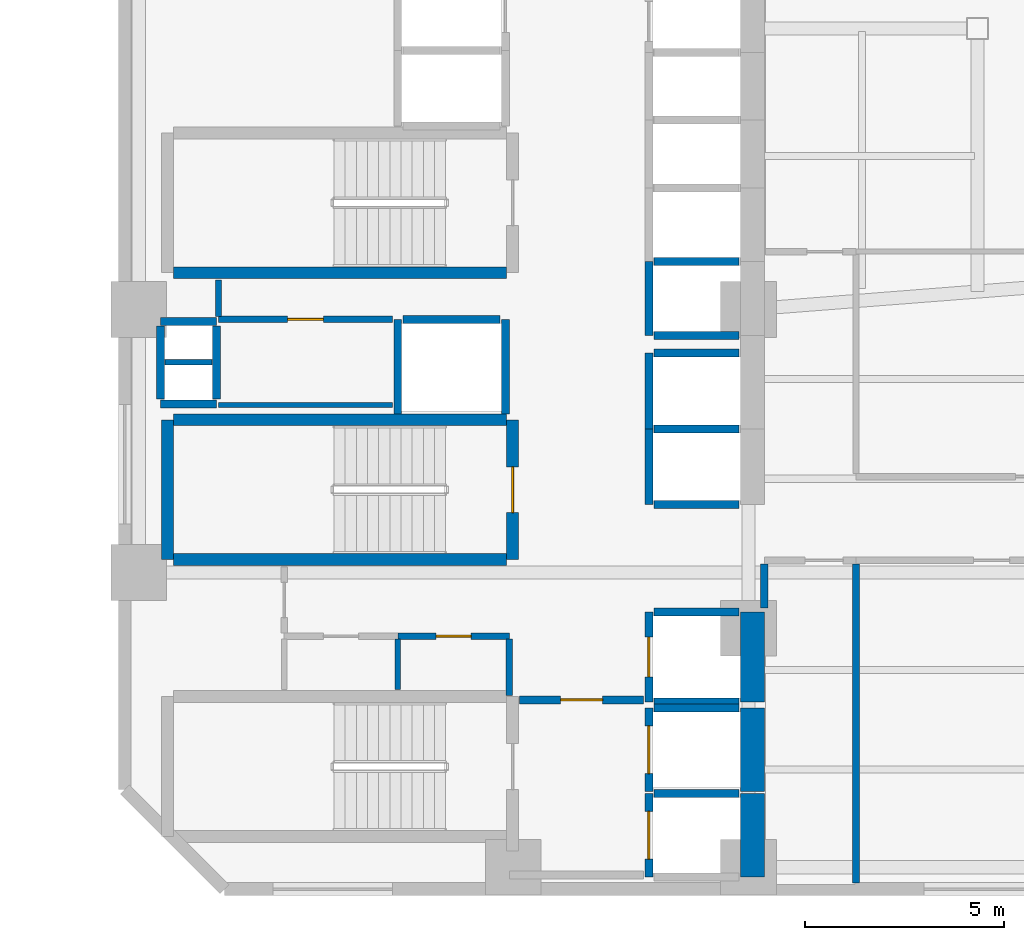
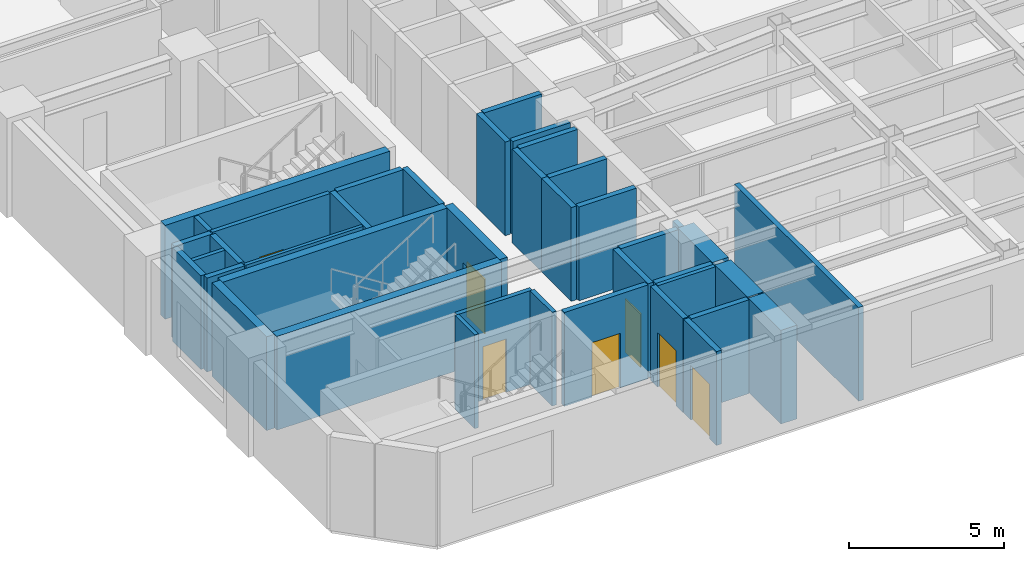
# One storey, part 3 of 10: 40 walls, 7 doors, 7 openings.
"""IFC4 building model written with IfcOpenShell, lengths in metres."""

import ifcopenshell
import ifcopenshell.guid

model = None  # the IFC model being written
_history = None  # IfcOwnerHistory: only IFC2X3 demands one
_inside = {}  # id of a spatial element -> (the spatial element, [elements in it])
_under = {}  # id of a project, library or spatial element -> (it, [spatial elements below it])
_declared = {}  # id of a project -> (the project, [libraries it declares])
_typed = {}  # id of a type object -> (the type object, [elements of that type])
_made_of = {}  # id of a material, layer set ... -> (it, [elements and type objects made of it])


def new_model(schema):
    """Start an empty IFC model of exactly this schema.

    Asked for "IFC4X3", IfcOpenShell would pick the latest addendum, in which some entities
    have other attributes; the version numbers below select the first issue.
    IFC2X3 requires an IfcOwnerHistory on every rooted entity: one is made here for all.
    """
    global model, _history
    if schema == "IFC4X3":
        model = ifcopenshell.file(schema_version=(4, 3, 0, 0))
    else:
        model = ifcopenshell.file(schema=schema)
    _inside.clear()
    _under.clear()
    _declared.clear()
    _typed.clear()
    _made_of.clear()
    _history = None
    if model.schema == "IFC2X3":
        org = make("IfcOrganization", Name="unknown")
        user = make(
            "IfcPersonAndOrganization",
            ThePerson=make("IfcPerson", FamilyName="unknown"),
            TheOrganization=org,
        )
        app = make(
            "IfcApplication",
            ApplicationDeveloper=org,
            Version="unknown",
            ApplicationFullName="unknown",
            ApplicationIdentifier="unknown",
        )
        _history = make(
            "IfcOwnerHistory",
            OwningUser=user,
            OwningApplication=app,
            ChangeAction="ADDED",
            CreationDate=0,
        )
    return model


def make(cls, **values):
    """One entity of the class cls with the attributes given. An attribute that is None is left unset."""
    return model.create_entity(
        cls, **{name: value for name, value in values.items() if value is not None}
    )


def rooted(cls, **values):
    """An entity with a GlobalId (a new one), such as an element, a storey or a relation."""
    return make(cls, GlobalId=ifcopenshell.guid.new(), OwnerHistory=_history, **values)


def si_unit(unit_type, name, prefix=None):
    """IfcSIUnit, for example si_unit("LENGTHUNIT", "METRE", prefix="MILLI")."""
    return make("IfcSIUnit", UnitType=unit_type, Prefix=prefix, Name=name)


def assignment(units):
    """IfcUnitAssignment: the units of a project."""
    return None if units is None else make("IfcUnitAssignment", Units=units)


def point(xyz):
    """IfcCartesianPoint."""
    return None if xyz is None else make("IfcCartesianPoint", Coordinates=xyz)


def direction(xyz):
    """IfcDirection."""
    return None if xyz is None else make("IfcDirection", DirectionRatios=xyz)


def frame(location, z_axis=None, x_axis=None):
    """IfcAxis2Placement3D, a coordinate frame: its origin and axes. An axis left out is left unset."""
    return make(
        "IfcAxis2Placement3D",
        Location=point(location),
        Axis=direction(z_axis),
        RefDirection=direction(x_axis),
    )


def frame_2d(location, x_axis=None):
    """IfcAxis2Placement2D, a coordinate frame in the plane: its origin and x axis."""
    return make(
        "IfcAxis2Placement2D", Location=point(location), RefDirection=direction(x_axis)
    )


def origin():
    """The frame at (0, 0, 0) with its axes left unset."""
    return frame((0.0, 0.0, 0.0))


def place(relative_to, where):
    """IfcLocalPlacement: puts the frame where relative to a parent placement (None: the world)."""
    return make(
        "IfcLocalPlacement", PlacementRelTo=relative_to, RelativePlacement=where
    )


def context(
    kind, dimensions, precision=None, world=None, true_north=None, identifier=None
):
    """IfcGeometricRepresentationContext, for example the 3D "Model" context."""
    return make(
        "IfcGeometricRepresentationContext",
        ContextIdentifier=identifier,
        ContextType=kind,
        CoordinateSpaceDimension=dimensions,
        Precision=precision,
        WorldCoordinateSystem=world,
        TrueNorth=true_north,
    )


def subcontext(parent, identifier, kind, view, scale=None):
    """IfcGeometricRepresentationSubContext, for example "Body" below "Model"."""
    return make(
        "IfcGeometricRepresentationSubContext",
        ContextIdentifier=identifier,
        ContextType=kind,
        ParentContext=parent,
        TargetScale=scale,
        TargetView=view,
    )


def project(units=None, contexts=None):
    """IfcProject with its units and contexts."""
    return rooted(
        "IfcProject",
        Name="project",
        RepresentationContexts=contexts,
        UnitsInContext=assignment(units),
    )


def spatial(cls, under=None, at=None, **own):
    """A site, building, storey or space (cls), placed at a placement, below another one or the project."""
    s = rooted(cls, ObjectPlacement=at, **own)
    if under is not None:
        _under.setdefault(under.id(), (under, []))[1].append(s)
    return s


def profile(cls, at=None, kind="AREA", **sizes):
    """A parametric profile (cls). Its sizes go by their IFC names, for example OverallWidth=200.0."""
    return make(cls, ProfileType=kind, Position=at, **sizes)


def rectangle(**sizes):
    """IfcRectangleProfileDef."""
    return profile("IfcRectangleProfileDef", **sizes)


def extrude(swept, where, along, depth):
    """IfcExtrudedAreaSolid: the profile swept, set in the frame where, extruded along a direction by depth."""
    return make(
        "IfcExtrudedAreaSolid",
        SweptArea=swept,
        Position=where,
        ExtrudedDirection=direction(along),
        Depth=depth,
    )


def shape(context_of_items, identifier, shape_type, items):
    """IfcShapeRepresentation: the items that make up one representation, for example the "Body"."""
    return make(
        "IfcShapeRepresentation",
        ContextOfItems=context_of_items,
        RepresentationIdentifier=identifier,
        RepresentationType=shape_type,
        Items=items,
    )


def material(Name=None, Category=None):
    """IfcMaterial."""
    return make("IfcMaterial", Name=Name, Category=Category)


def layer(
    of_material, thickness, ventilated=None, Name=None, Category=None, Priority=None
):
    """IfcMaterialLayer: one layer of a wall or slab, of a material (None: an air gap)."""
    return make(
        "IfcMaterialLayer",
        Material=of_material,
        LayerThickness=thickness,
        IsVentilated=ventilated,
        Name=Name,
        Category=Category,
        Priority=Priority,
    )


def layer_set(layers, Name=None):
    """IfcMaterialLayerSet."""
    return make("IfcMaterialLayerSet", MaterialLayers=layers, LayerSetName=Name)


def made_of(thing, what):
    """Note that an element or type object is made of a material, layer set ...; save() writes the relation."""
    if what is not None:
        _made_of.setdefault(what.id(), (what, []))[1].append(thing)
    return thing


def type_object(cls, material=None, **own):
    """A type object (cls), such as IfcWallType, which elements share."""
    return made_of(rooted(cls, **own), material)


def element(
    cls,
    number,
    at=None,
    inside=None,
    cuts=None,
    type_object=None,
    material=None,
    context=None,
    identifier="Body",
    shape_type=None,
    held_by="IfcProductDefinitionShape",
    body=None,
    shapes=None,
    **own,
):
    """One element of the class cls, such as IfcWall. Its Tag is "e" and its number.

    at: its placement. inside: the storey or other place that contains it. cuts: it is an
    opening in that element (IfcRelVoidsElement). A single representation is given by context,
    identifier, shape_type and body (its items); several are given by shapes. held_by: the class
    of the entity that holds the representations. save() writes the other relations.
    """
    e = rooted(cls, Tag="e%d" % number, ObjectPlacement=at, **own)
    if body is not None:
        shapes = [shape(context, identifier, shape_type, body)]
    if shapes is not None:
        e.Representation = make(held_by, Representations=shapes)
    if inside is not None:
        _inside.setdefault(inside.id(), (inside, []))[1].append(e)
    if cuts is not None:
        rooted(
            "IfcRelVoidsElement", RelatingBuildingElement=cuts, RelatedOpeningElement=e
        )
    if type_object is not None:
        _typed.setdefault(type_object.id(), (type_object, []))[1].append(e)
    return made_of(e, material)


def fill(opening, filler):
    """IfcRelFillsElement: the door or window that sits in an opening."""
    return rooted(
        "IfcRelFillsElement",
        RelatingOpeningElement=opening,
        RelatedBuildingElement=filler,
    )


def aggregate(whole, parts):
    """IfcRelAggregates: a whole, such as a stair, and the parts it consists of."""
    return rooted("IfcRelAggregates", RelatingObject=whole, RelatedObjects=parts)


def save(model, path):
    """Write the relations noted so far, then the file.

    IfcRelAggregates (storeys below a building ...), IfcRelContainedInSpatialStructure (elements
    in a storey), IfcRelDefinesByType, IfcRelAssociatesMaterial and IfcRelDeclares: one each for
    every whole, place, type object, material and project.
    """
    for whole, parts in _under.values():
        aggregate(whole, parts)
    for where, things in _inside.values():
        rooted(
            "IfcRelContainedInSpatialStructure",
            RelatedElements=things,
            RelatingStructure=where,
        )
    for kind, things in _typed.values():
        rooted("IfcRelDefinesByType", RelatedObjects=things, RelatingType=kind)
    for what, things in _made_of.values():
        rooted("IfcRelAssociatesMaterial", RelatedObjects=things, RelatingMaterial=what)
    for by, libraries in _declared.values():
        rooted("IfcRelDeclares", RelatingContext=by, RelatedDefinitions=libraries)
    model.write(path)


model = new_model("IFC4")

# Units and contexts
model_context = context("Model", 3, precision=1e-05, world=origin(), true_north=direction((0.0, 1.0)))
body_context = subcontext(model_context, "Body", "Model", "MODEL_VIEW")
ifc_project = project(units=[si_unit("LENGTHUNIT", "METRE"), si_unit("AREAUNIT", "SQUARE_METRE"), si_unit("VOLUMEUNIT", "CUBIC_METRE"), si_unit("PLANEANGLEUNIT", "RADIAN"), si_unit("MASSUNIT", "GRAM", prefix="KILO")], contexts=[model_context])

# Site, building, storey
site_placement = place(None, origin())
site = spatial("IfcSite", under=ifc_project, at=site_placement, CompositionType="ELEMENT")
building_placement = place(site_placement, origin())
building = spatial("IfcBuilding", under=site, at=building_placement, Name="Mawjaban Terraces University", CompositionType="ELEMENT")
storey_placement = place(building_placement, frame((0.0, 0.0, 50.5)))
storey = spatial("IfcBuildingStorey", under=building, at=storey_placement, Name="L11", CompositionType="ELEMENT", Elevation=50.5)

# Walls
ifc_material_1 = material(Name="Acoustic masonry blockwork", Category="masonry")
ifc_layer_1 = layer(ifc_material_1, 0.179931640625)
ifc_layer_set_1 = layer_set([ifc_layer_1], Name="Acoustic masonry blockwork")
wall_type_1 = type_object("IfcWallType", Name="AcousticStudioWall_180", PredefinedType="PARTITIONING", material=ifc_layer_set_1)
wall_1_placement = place(storey_placement, frame((38.050048828125, 7.050048828125, 0.0), z_axis=(0.0, 0.0, 1.0), x_axis=(0.0, 1.0, 0.0)))
element("IfcWall", 1, at=wall_1_placement, inside=storey, type_object=wall_type_1, Name="L11 Core Stair and Lift Lobby East Partition 38", PredefinedType="PARTITIONING", context=body_context, shape_type="SweptSolid", body=[
    extrude(rectangle(XDim=1.114990234375, YDim=0.179931640625, at=frame_2d((0.5576171875, 0.0))), origin(), (0.0, 0.0, 1.0), 3.054931640625),
])
wall_2_placement = place(storey_placement, frame((40.35009765625, 0.155029296875, 0.0), z_axis=(0.0, 0.0, 1.0), x_axis=(0.0, 1.0, 0.0)))
element("IfcWall", 2, at=wall_2_placement, inside=storey, type_object=wall_type_1, Name="L11 Media Workshop 1 Partition 40", PredefinedType="PARTITIONING", context=body_context, shape_type="SweptSolid", body=[
    extrude(rectangle(XDim=8.010009765625, YDim=0.179931640625, at=frame_2d((4.0048828125, 0.0))), origin(), (0.0, 0.0, 1.0), 3.68994140625),
])
ifc_material_2 = material(Name="Concrete C70/85", Category="concrete")
ifc_layer_2 = layer(ifc_material_2, 0.60009765625)
ifc_layer_set_2 = layer_set([ifc_layer_2], Name="Concrete C70/85")
wall_type_2 = type_object("IfcWallType", Name="CoreShearWall_600", PredefinedType="SHEAR", material=ifc_layer_set_2)
wall_3_placement = place(storey_placement, frame((37.75, 0.300048828125, 0.0), z_axis=(0.0, 0.0, 1.0), x_axis=(0.0, 1.0, 0.0)))
element("IfcWall", 3, at=wall_3_placement, inside=storey, type_object=wall_type_2, Name="L11 Lift FL-1 Hoistway Wall East", PredefinedType="SHEAR", context=body_context, shape_type="SweptSolid", body=[
    extrude(rectangle(XDim=2.099853515625, YDim=0.60009765625, at=frame_2d((1.0498046875, 0.0))), origin(), (0.0, 0.0, 1.0), 3.68994140625),
])
wall_4_placement = place(storey_placement, frame((37.75, 2.449951171875, 0.0), z_axis=(0.0, 0.0, 1.0), x_axis=(0.0, 1.0, 0.0)))
element("IfcWall", 4, at=wall_4_placement, inside=storey, type_object=wall_type_2, Name="L11 Lift FL-2 Hoistway Wall East", PredefinedType="SHEAR", context=body_context, shape_type="SweptSolid", body=[
    extrude(rectangle(XDim=2.10009765625, YDim=0.60009765625, at=frame_2d((1.050048828125, 0.0))), origin(), (0.0, 0.0, 1.0), 3.68994140625),
])
wall_5_placement = place(storey_placement, frame((37.75, 4.699951171875, 0.0), z_axis=(0.0, 0.0, 1.0), x_axis=(0.0, 1.0, 0.0)))
element("IfcWall", 5, at=wall_5_placement, inside=storey, type_object=wall_type_2, Name="L11 Lift SL-1 Hoistway Wall East", PredefinedType="SHEAR", context=body_context, shape_type="SweptSolid", body=[
    extrude(rectangle(XDim=2.25, YDim=0.60009765625, at=frame_2d((1.125, 0.0))), origin(), (0.0, 0.0, 1.0), 3.68994140625),
])

# Wall, opening, door
ifc_material_3 = material(Name="Fire-rated gypsum board on steel stud", Category="steel")
ifc_layer_3 = layer(ifc_material_3, 0.159912109375)
ifc_layer_set_3 = layer_set([ifc_layer_3], Name="Fire-rated gypsum board on steel stud")
wall_type_3 = type_object("IfcWallType", Name="CorridorPartition_160", PredefinedType="PARTITIONING", material=ifc_layer_set_3)
wall_6_placement = place(storey_placement, frame((24.35009765625, 14.300048828125, 0.0), z_axis=(0.0, 0.0, 1.0), x_axis=(1.0, 0.0, 0.0)))
wall_6 = element("IfcWall", 6, at=wall_6_placement, inside=storey, type_object=wall_type_3, Name="L11 Core Riser Access Passage Partition 2", PredefinedType="PARTITIONING", context=body_context, shape_type="SweptSolid", body=[
    extrude(rectangle(XDim=4.369873046875, YDim=0.159912109375, at=frame_2d((2.18505859375, 0.0))), origin(), (0.0, 0.0, 1.0), 3.68994140625),
])
opening_1_placement = place(wall_6_placement, frame((1.735107421875, 0.0, 0.0)))
opening_1 = element("IfcOpeningElement", 7, at=opening_1_placement, cuts=wall_6, Name="Opening ID-090", PredefinedType="OPENING", context=body_context, shape_type="SweptSolid", body=[
    extrude(rectangle(XDim=0.89990234375, YDim=2.10009765625, at=frame_2d((0.449951171875, 1.050048828125))), frame((0.0, 0.08984375, 0.0), z_axis=(0.0, -1.0, 0.0), x_axis=(1.0, 0.0, 0.0)), (0.0, 0.0, 1.0), 0.179931640625),
])
ifc_material_4 = material(Name="Powder-coated steel frame and solid acoustic timber leaf", Category="steel")
door_type_1 = type_object("IfcDoorType", Name="OfficeDoor_900x2100", OperationType="NOTDEFINED", PredefinedType="DOOR", material=ifc_material_4)
door_1_placement = place(opening_1_placement, origin())
door_1 = element("IfcDoor", 8, at=door_1_placement, inside=storey, type_object=door_type_1, Name="L11 Cleaner Store Door", OperationType="SINGLE_SWING_LEFT", OverallHeight=2.10009765625, OverallWidth=0.89990234375, PredefinedType="DOOR", context=body_context, shape_type="SweptSolid", body=[
    extrude(rectangle(XDim=0.89990234375, YDim=2.10009765625, at=frame_2d((0.449951171875, 1.050048828125))), frame((0.0, 0.02490234375, 0.0), z_axis=(0.0, -1.0, 0.0), x_axis=(1.0, 0.0, 0.0)), (0.0, 0.0, 1.0), 0.050048828125),
])
fill(opening_1, door_1)

wall_7_placement = place(storey_placement, frame((28.85009765625, 6.35009765625, 0.0), z_axis=(0.0, 0.0, 1.0), x_axis=(1.0, 0.0, 0.0)))
wall_7 = element("IfcWall", 9, at=wall_7_placement, inside=storey, type_object=wall_type_3, Name="L11 Core Washroom Lobby Partition 6", PredefinedType="PARTITIONING", context=body_context, shape_type="SweptSolid", body=[
    extrude(rectangle(XDim=2.7998046875, YDim=0.159912109375, at=frame_2d((1.39990234375, 0.0))), origin(), (0.0, 0.0, 1.0), 3.68994140625),
])
opening_2_placement = place(wall_7_placement, frame((0.9599609375, 0.0, 0.0)))
opening_2 = element("IfcOpeningElement", 10, at=opening_2_placement, cuts=wall_7, Name="Opening ID-088", PredefinedType="OPENING", context=body_context, shape_type="SweptSolid", body=[
    extrude(rectangle(XDim=0.8798828125, YDim=2.10009765625, at=frame_2d((0.43994140625, 1.050048828125))), frame((0.0, 0.08984375, 0.0), z_axis=(0.0, -1.0, 0.0), x_axis=(1.0, 0.0, 0.0)), (0.0, 0.0, 1.0), 0.179931640625),
])
door_type_2 = type_object("IfcDoorType", Name="ToiletDoor_880x2100", OperationType="NOTDEFINED", PredefinedType="DOOR", material=ifc_material_4)
door_2_placement = place(opening_2_placement, origin())
door_2 = element("IfcDoor", 11, at=door_2_placement, inside=storey, type_object=door_type_2, Name="L11 Accessible Toilet Door", OperationType="SINGLE_SWING_RIGHT", OverallHeight=2.10009765625, OverallWidth=0.8798828125, PredefinedType="DOOR", context=body_context, shape_type="SweptSolid", body=[
    extrude(rectangle(XDim=0.8798828125, YDim=2.10009765625, at=frame_2d((0.43994140625, 1.050048828125))), frame((0.0, 0.02490234375, 0.0), z_axis=(0.0, -1.0, 0.0), x_axis=(1.0, 0.0, 0.0)), (0.0, 0.0, 1.0), 0.050048828125),
])
fill(opening_2, door_2)

# Walls
wall_8_placement = place(storey_placement, frame((24.35009765625, 15.2900390625, 0.0), z_axis=(0.0, 0.0, 1.0), x_axis=(0.0, -1.0, 0.0)))
element("IfcWall", 12, at=wall_8_placement, inside=storey, type_object=wall_type_3, Name="L11 Core Riser Access Passage Partition 26", PredefinedType="PARTITIONING", context=body_context, shape_type="SweptSolid", body=[
    extrude(rectangle(XDim=0.9150390625, YDim=0.159912109375, at=frame_2d((0.45751953125, 0.0))), origin(), (0.0, 0.0, 1.0), 3.68994140625),
])
wall_9_placement = place(storey_placement, frame((31.64990234375, 4.860107421875, 0.0), z_axis=(0.0, 0.0, 1.0), x_axis=(0.0, 1.0, 0.0)))
element("IfcWall", 13, at=wall_9_placement, inside=storey, type_object=wall_type_3, Name="L11 Accessible Toilet Partition 35", PredefinedType="PARTITIONING", context=body_context, shape_type="SweptSolid", body=[
    extrude(rectangle(XDim=1.414794921875, YDim=0.159912109375, at=frame_2d((0.70751953125, 0.0))), origin(), (0.0, 0.0, 1.0), 3.68994140625),
])

# Wall, opening, door
ifc_material_5 = material(Name="Concrete C40/50", Category="concrete")
ifc_layer_4 = layer(ifc_material_5, 0.199951171875)
ifc_layer_set_4 = layer_set([ifc_layer_4], Name="Concrete C40/50")
wall_type_4 = type_object("IfcWallType", Name="FireLobbyWall_200", PredefinedType="SOLIDWALL", material=ifc_layer_set_4)
wall_10_placement = place(storey_placement, frame((35.14990234375, 2.39990234375, 0.0), z_axis=(0.0, 0.0, 1.0), x_axis=(0.0, -1.0, 0.0)))
wall_10 = element("IfcWall", 14, at=wall_10_placement, inside=storey, type_object=wall_type_4, Name="L11 Lift FL-1 Hoistway Wall West", PredefinedType="SOLIDWALL", context=body_context, shape_type="SweptSolid", body=[
    extrude(rectangle(XDim=2.099853515625, YDim=0.199951171875, at=frame_2d((1.0498046875, 0.0))), origin(), (0.0, 0.0, 1.0), 3.68994140625),
])
opening_3_placement = place(wall_10_placement, frame((0.449951171875, 0.0, 0.0)))
opening_3 = element("IfcOpeningElement", 15, at=opening_3_placement, cuts=wall_10, Name="Opening LD-FL-1", PredefinedType="OPENING", context=body_context, shape_type="SweptSolid", body=[
    extrude(rectangle(XDim=1.199951171875, YDim=2.14990234375, at=frame_2d((0.60009765625, 1.074951171875))), frame((0.0, 0.10986328125, 0.0), z_axis=(0.0, -1.0, 0.0), x_axis=(1.0, 0.0, 0.0)), (0.0, 0.0, 1.0), 0.219970703125),
])
ifc_material_6 = material(Name="Powder-coated steel frame and fire-rated steel-faced leaf", Category="steel")
door_type_3 = type_object("IfcDoorType", Name="LiftLandingFSAE_1200x2150", OperationType="NOTDEFINED", PredefinedType="DOOR", material=ifc_material_6)
door_3_placement = place(opening_3_placement, origin())
door_3 = element("IfcDoor", 16, at=door_3_placement, inside=storey, type_object=door_type_3, Name="L11 Lift FL-1 Sliding Landing Door", OperationType="DOUBLE_DOOR_SLIDING", OverallHeight=2.14990234375, OverallWidth=1.199951171875, PredefinedType="DOOR", context=body_context, shape_type="SweptSolid", body=[
    extrude(rectangle(XDim=1.199951171875, YDim=2.14990234375, at=frame_2d((0.60009765625, 1.074951171875))), frame((0.0, 0.02490234375, 0.0), z_axis=(0.0, -1.0, 0.0), x_axis=(1.0, 0.0, 0.0)), (0.0, 0.0, 1.0), 0.050048828125),
])
fill(opening_3, door_3)

# Wall
wall_11_placement = place(storey_placement, frame((37.419921875, 2.39990234375, 0.0), z_axis=(0.0, 0.0, 1.0), x_axis=(-1.0, 0.0, 0.0)))
element("IfcWall", 17, at=wall_11_placement, inside=storey, type_object=wall_type_4, Name="L11 Lift FL-1 Hoistway Wall North", PredefinedType="SOLIDWALL", context=body_context, shape_type="SweptSolid", body=[
    extrude(rectangle(XDim=2.139892578125, YDim=0.199951171875, at=frame_2d((1.06982421875, 0.0))), origin(), (0.0, 0.0, 1.0), 3.68994140625),
])

# Wall, opening, door
wall_12_placement = place(storey_placement, frame((35.14990234375, 4.550048828125, 0.0), z_axis=(0.0, 0.0, 1.0), x_axis=(0.0, -1.0, 0.0)))
wall_12 = element("IfcWall", 18, at=wall_12_placement, inside=storey, type_object=wall_type_4, Name="L11 Lift FL-2 Hoistway Wall West", PredefinedType="SOLIDWALL", context=body_context, shape_type="SweptSolid", body=[
    extrude(rectangle(XDim=2.10009765625, YDim=0.199951171875, at=frame_2d((1.050048828125, 0.0))), origin(), (0.0, 0.0, 1.0), 3.68994140625),
])
opening_4_placement = place(wall_12_placement, frame((0.449951171875, 0.0, 0.0)))
opening_4 = element("IfcOpeningElement", 19, at=opening_4_placement, cuts=wall_12, Name="Opening LD-FL-2", PredefinedType="OPENING", context=body_context, shape_type="SweptSolid", body=[
    extrude(rectangle(XDim=1.199951171875, YDim=2.14990234375, at=frame_2d((0.60009765625, 1.074951171875))), frame((0.0, 0.10986328125, 0.0), z_axis=(0.0, -1.0, 0.0), x_axis=(1.0, 0.0, 0.0)), (0.0, 0.0, 1.0), 0.219970703125),
])
door_4_placement = place(opening_4_placement, origin())
door_4 = element("IfcDoor", 20, at=door_4_placement, inside=storey, type_object=door_type_3, Name="L11 Lift FL-2 Sliding Landing Door", OperationType="DOUBLE_DOOR_SLIDING", OverallHeight=2.14990234375, OverallWidth=1.199951171875, PredefinedType="DOOR", context=body_context, shape_type="SweptSolid", body=[
    extrude(rectangle(XDim=1.199951171875, YDim=2.14990234375, at=frame_2d((0.60009765625, 1.074951171875))), frame((0.0, 0.02490234375, 0.0), z_axis=(0.0, -1.0, 0.0), x_axis=(1.0, 0.0, 0.0)), (0.0, 0.0, 1.0), 0.050048828125),
])
fill(opening_4, door_4)

# Wall
wall_13_placement = place(storey_placement, frame((37.419921875, 4.550048828125, 0.0), z_axis=(0.0, 0.0, 1.0), x_axis=(-1.0, 0.0, 0.0)))
element("IfcWall", 21, at=wall_13_placement, inside=storey, type_object=wall_type_4, Name="L11 Lift FL-2 Hoistway Wall North", PredefinedType="SOLIDWALL", context=body_context, shape_type="SweptSolid", body=[
    extrude(rectangle(XDim=2.139892578125, YDim=0.199951171875, at=frame_2d((1.06982421875, 0.0))), origin(), (0.0, 0.0, 1.0), 3.68994140625),
])

# Wall, opening, door
wall_14_placement = place(storey_placement, frame((35.14990234375, 6.949951171875, 0.0), z_axis=(0.0, 0.0, 1.0), x_axis=(0.0, -1.0, 0.0)))
wall_14 = element("IfcWall", 22, at=wall_14_placement, inside=storey, type_object=wall_type_4, Name="L11 Lift SL-1 Hoistway Wall West", PredefinedType="SOLIDWALL", context=body_context, shape_type="SweptSolid", body=[
    extrude(rectangle(XDim=2.25, YDim=0.199951171875, at=frame_2d((1.125, 0.0))), origin(), (0.0, 0.0, 1.0), 3.68994140625),
])
opening_5_placement = place(wall_14_placement, frame((0.625, 0.0, 0.0)))
opening_5 = element("IfcOpeningElement", 23, at=opening_5_placement, cuts=wall_14, Name="Opening LD-SL-1", PredefinedType="OPENING", context=body_context, shape_type="SweptSolid", body=[
    extrude(rectangle(XDim=1.0, YDim=2.10009765625, at=frame_2d((0.5, 1.050048828125))), frame((0.0, 0.10986328125, 0.0), z_axis=(0.0, -1.0, 0.0), x_axis=(1.0, 0.0, 0.0)), (0.0, 0.0, 1.0), 0.219970703125),
])
door_type_4 = type_object("IfcDoorType", Name="LiftLandingSliding_1000x2100", OperationType="NOTDEFINED", PredefinedType="DOOR", material=ifc_material_6)
door_5_placement = place(opening_5_placement, origin())
door_5 = element("IfcDoor", 24, at=door_5_placement, inside=storey, type_object=door_type_4, Name="L11 Lift SL-1 Sliding Landing Door", OperationType="DOUBLE_DOOR_SLIDING", OverallHeight=2.10009765625, OverallWidth=1.0, PredefinedType="DOOR", context=body_context, shape_type="SweptSolid", body=[
    extrude(rectangle(XDim=1.0, YDim=2.10009765625, at=frame_2d((0.5, 1.050048828125))), frame((0.0, 0.02490234375, 0.0), z_axis=(0.0, -1.0, 0.0), x_axis=(1.0, 0.0, 0.0)), (0.0, 0.0, 1.0), 0.050048828125),
])
fill(opening_5, door_5)

# Walls
for number, where, z_axis, x_axis, name in (
    (25, (35.280029296875, 4.699951171875, 0.0), (0.0, 0.0, 1.0), (1.0, 0.0, 0.0), "L11 Lift SL-1 Hoistway Wall South"),
    (26, (37.419921875, 6.949951171875, 0.0), (0.0, 0.0, 1.0), (-1.0, 0.0, 0.0), "L11 Lift SL-1 Hoistway Wall North"),
):
    element("IfcWall", number, at=place(storey_placement, frame(where, z_axis=z_axis, x_axis=x_axis)), inside=storey, type_object=wall_type_4, Name=name, PredefinedType="SOLIDWALL", context=body_context, shape_type="SweptSolid", body=[
        extrude(rectangle(XDim=2.139892578125, YDim=0.199951171875, at=frame_2d((1.06982421875, 0.0))), origin(), (0.0, 0.0, 1.0), 3.68994140625),
    ])
wall_15_placement = place(storey_placement, frame((35.14990234375, 11.550048828125, 0.0), z_axis=(0.0, 0.0, 1.0), x_axis=(0.0, -1.0, 0.0)))
element("IfcWall", 27, at=wall_15_placement, inside=storey, type_object=wall_type_4, Name="L11 Lift PL-H1 Hoistway Wall West", PredefinedType="SOLIDWALL", context=body_context, shape_type="SweptSolid", body=[
    extrude(rectangle(XDim=1.900146484375, YDim=0.199951171875, at=frame_2d((0.9501953125, 0.0))), origin(), (0.0, 0.0, 1.0), 3.68994140625),
])
for number, where, z_axis, x_axis, name in (
    (28, (35.280029296875, 9.64990234375, 0.0), (0.0, 0.0, 1.0), (1.0, 0.0, 0.0), "L11 Lift PL-H1 Hoistway Wall South"),
    (29, (37.419921875, 11.550048828125, 0.0), (0.0, 0.0, 1.0), (-1.0, 0.0, 0.0), "L11 Lift PL-H1 Hoistway Wall North"),
):
    element("IfcWall", number, at=place(storey_placement, frame(where, z_axis=z_axis, x_axis=x_axis)), inside=storey, type_object=wall_type_4, Name=name, PredefinedType="SOLIDWALL", context=body_context, shape_type="SweptSolid", body=[
        extrude(rectangle(XDim=2.139892578125, YDim=0.199951171875, at=frame_2d((1.06982421875, 0.0))), origin(), (0.0, 0.0, 1.0), 3.68994140625),
    ])
wall_16_placement = place(storey_placement, frame((35.14990234375, 13.449951171875, 0.0), z_axis=(0.0, 0.0, 1.0), x_axis=(0.0, -1.0, 0.0)))
element("IfcWall", 30, at=wall_16_placement, inside=storey, type_object=wall_type_4, Name="L11 Lift PL-H2 Hoistway Wall West", PredefinedType="SOLIDWALL", context=body_context, shape_type="SweptSolid", body=[
    extrude(rectangle(XDim=1.89990234375, YDim=0.199951171875, at=frame_2d((0.949951171875, 0.0))), origin(), (0.0, 0.0, 1.0), 3.68994140625),
])
wall_17_placement = place(storey_placement, frame((37.419921875, 13.449951171875, 0.0), z_axis=(0.0, 0.0, 1.0), x_axis=(-1.0, 0.0, 0.0)))
element("IfcWall", 31, at=wall_17_placement, inside=storey, type_object=wall_type_4, Name="L11 Lift PL-H2 Hoistway Wall North", PredefinedType="SOLIDWALL", context=body_context, shape_type="SweptSolid", body=[
    extrude(rectangle(XDim=2.139892578125, YDim=0.199951171875, at=frame_2d((1.06982421875, 0.0))), origin(), (0.0, 0.0, 1.0), 3.68994140625),
])
for number, where, z_axis, x_axis, name in (
    (32, (28.85009765625, 14.300048828125, 0.0), (0.0, 0.0, 1.0), (0.0, -1.0, 0.0), "L11 Lift PL-H3 Hoistway Wall West"),
    (33, (31.550048828125, 11.929931640625, 0.0), (0.0, 0.0, 1.0), (0.0, 1.0, 0.0), "L11 Lift PL-H3 Hoistway Wall East"),
):
    element("IfcWall", number, at=place(storey_placement, frame(where, z_axis=z_axis, x_axis=x_axis)), inside=storey, type_object=wall_type_4, Name=name, PredefinedType="SOLIDWALL", context=body_context, shape_type="SweptSolid", body=[
        extrude(rectangle(XDim=2.3701171875, YDim=0.199951171875, at=frame_2d((1.18505859375, 0.0))), origin(), (0.0, 0.0, 1.0), 3.68994140625),
    ])
wall_18_placement = place(storey_placement, frame((31.419921875, 14.300048828125, 0.0), z_axis=(0.0, 0.0, 1.0), x_axis=(-1.0, 0.0, 0.0)))
element("IfcWall", 34, at=wall_18_placement, inside=storey, type_object=wall_type_4, Name="L11 Lift PL-H3 Hoistway Wall North", PredefinedType="SOLIDWALL", context=body_context, shape_type="SweptSolid", body=[
    extrude(rectangle(XDim=2.43994140625, YDim=0.199951171875, at=frame_2d((1.219970703125, 0.0))), origin(), (0.0, 0.0, 1.0), 3.68994140625),
])
wall_19_placement = place(storey_placement, frame((35.14990234375, 15.75, 0.0), z_axis=(0.0, 0.0, 1.0), x_axis=(0.0, -1.0, 0.0)))
element("IfcWall", 35, at=wall_19_placement, inside=storey, type_object=wall_type_4, Name="L11 Lift OL-1 Hoistway Wall West", PredefinedType="SOLIDWALL", context=body_context, shape_type="SweptSolid", body=[
    extrude(rectangle(XDim=1.85009765625, YDim=0.199951171875, at=frame_2d((0.925048828125, 0.0))), origin(), (0.0, 0.0, 1.0), 3.68994140625),
])
for number, where, z_axis, x_axis, name in (
    (36, (35.280029296875, 13.89990234375, 0.0), (0.0, 0.0, 1.0), (1.0, 0.0, 0.0), "L11 Lift OL-1 Hoistway Wall South"),
    (37, (37.419921875, 15.75, 0.0), (0.0, 0.0, 1.0), (-1.0, 0.0, 0.0), "L11 Lift OL-1 Hoistway Wall North"),
):
    element("IfcWall", number, at=place(storey_placement, frame(where, z_axis=z_axis, x_axis=x_axis)), inside=storey, type_object=wall_type_4, Name=name, PredefinedType="SOLIDWALL", context=body_context, shape_type="SweptSolid", body=[
        extrude(rectangle(XDim=2.139892578125, YDim=0.199951171875, at=frame_2d((1.06982421875, 0.0))), origin(), (0.0, 0.0, 1.0), 3.68994140625),
    ])
for number, where, z_axis, x_axis, name in (
    (38, (22.89990234375, 14.25, 0.0), (0.0, 0.0, 1.0), (1.0, 0.0, 0.0), "L11 MEP Riser Shaft Wall N"),
    (39, (22.89990234375, 12.179931640625, 0.0), (0.0, 0.0, 1.0), (1.0, 0.0, 0.0), "L11 MEP Riser Shaft Wall S"),
):
    element("IfcWall", number, at=place(storey_placement, frame(where, z_axis=z_axis, x_axis=x_axis)), inside=storey, type_object=wall_type_4, Name=name, PredefinedType="SOLIDWALL", context=body_context, shape_type="SweptSolid", body=[
        extrude(rectangle(XDim=1.400146484375, YDim=0.199951171875, at=frame_2d((0.7001953125, 0.0))), origin(), (0.0, 0.0, 1.0), 3.68994140625),
    ])
for number, where, z_axis, x_axis, name in (
    (40, (24.300048828125, 12.300048828125, 0.0), (0.0, 0.0, 1.0), (0.0, 1.0, 0.0), "L11 MEP Riser Shaft Wall E"),
    (41, (22.89990234375, 12.300048828125, 0.0), (0.0, 0.0, 1.0), (0.0, 1.0, 0.0), "L11 MEP Riser Shaft Wall W"),
):
    element("IfcWall", number, at=place(storey_placement, frame(where, z_axis=z_axis, x_axis=x_axis)), inside=storey, type_object=wall_type_4, Name=name, PredefinedType="SOLIDWALL", context=body_context, shape_type="SweptSolid", body=[
        extrude(rectangle(XDim=1.829833984375, YDim=0.199951171875, at=frame_2d((0.9150390625, 0.0))), origin(), (0.0, 0.0, 1.0), 3.68994140625),
    ])

# Wall, opening, door
wall_20_placement = place(storey_placement, frame((35.02001953125, 4.75, 0.0), z_axis=(0.0, 0.0, 1.0), x_axis=(-1.0, 0.0, 0.0)))
wall_20 = element("IfcWall", 42, at=wall_20_placement, inside=storey, type_object=wall_type_4, Name="L11 Firefighting Lift Lobby Partition 10", PredefinedType="SOLIDWALL", context=body_context, shape_type="SweptSolid", body=[
    extrude(rectangle(XDim=3.110107421875, YDim=0.199951171875, at=frame_2d((1.55517578125, 0.0))), origin(), (0.0, 0.0, 1.0), 3.68994140625),
])
opening_6_placement = place(wall_20_placement, frame((1.030029296875, 0.0, 0.0)))
opening_6 = element("IfcOpeningElement", 43, at=opening_6_placement, cuts=wall_20, Name="Opening FD-105", PredefinedType="OPENING", context=body_context, shape_type="SweptSolid", body=[
    extrude(rectangle(XDim=1.050048828125, YDim=2.14990234375, at=frame_2d((0.52490234375, 1.074951171875))), frame((0.0, 0.10986328125, 0.0), z_axis=(0.0, -1.0, 0.0), x_axis=(1.0, 0.0, 0.0)), (0.0, 0.0, 1.0), 0.219970703125),
])
door_type_5 = type_object("IfcDoorType", Name="FireLobbyDoor_1050x2150", OperationType="NOTDEFINED", PredefinedType="DOOR", material=ifc_material_6)
door_6_placement = place(opening_6_placement, origin())
door_6 = element("IfcDoor", 44, at=door_6_placement, inside=storey, type_object=door_type_5, Name="L11 Firefighting Lift Lobby Door", OperationType="SINGLE_SWING_LEFT", OverallHeight=2.14990234375, OverallWidth=1.050048828125, PredefinedType="DOOR", context=body_context, shape_type="SweptSolid", body=[
    extrude(rectangle(XDim=1.050048828125, YDim=2.14990234375, at=frame_2d((0.52490234375, 1.074951171875))), frame((0.0, 0.02490234375, 0.0), z_axis=(0.0, -1.0, 0.0), x_axis=(1.0, 0.0, 0.0)), (0.0, 0.0, 1.0), 0.050048828125),
])
fill(opening_6, door_6)

# Walls
ifc_material_7 = material(Name="Moisture-resistant gypsum board on steel stud", Category="steel")
ifc_layer_5 = layer(ifc_material_7, 0.14501953125)
ifc_layer_set_5 = layer_set([ifc_layer_5], Name="Moisture-resistant gypsum board on steel stud")
wall_type_5 = type_object("IfcWallType", Name="LabPartition_145", PredefinedType="PARTITIONING", material=ifc_layer_set_5)
wall_21_placement = place(storey_placement, frame((23.010009765625, 13.22509765625, 0.0), z_axis=(0.0, 0.0, 1.0), x_axis=(1.0, 0.0, 0.0)))
element("IfcWall", 45, at=wall_21_placement, inside=storey, type_object=wall_type_5, Name="L11 MEP Riser Shaft Wall M", PredefinedType="PARTITIONING", context=body_context, shape_type="SweptSolid", body=[
    extrude(rectangle(XDim=1.179931640625, YDim=0.14501953125, at=frame_2d((0.58984375, 0.0))), origin(), (0.0, 0.0, 1.0), 3.68994140625),
])
ifc_material_8 = material(Name="Gypsum plasterboard on steel stud", Category="steel")
ifc_layer_6 = layer(ifc_material_8, 0.125)
ifc_layer_set_6 = layer_set([ifc_layer_6], Name="Gypsum plasterboard on steel stud")
wall_type_6 = type_object("IfcWallType", Name="OfficePartition_125", PredefinedType="PARTITIONING", material=ifc_layer_set_6)
wall_22_placement = place(storey_placement, frame((24.35009765625, 12.14990234375, 0.0), z_axis=(0.0, 0.0, 1.0), x_axis=(1.0, 0.0, 0.0)))
element("IfcWall", 46, at=wall_22_placement, inside=storey, type_object=wall_type_6, Name="L11 Cleaner Store Partition 1", PredefinedType="PARTITIONING", context=body_context, shape_type="SweptSolid", body=[
    extrude(rectangle(XDim=4.369873046875, YDim=0.125, at=frame_2d((2.18505859375, 0.0))), origin(), (0.0, 0.0, 1.0), 3.68994140625),
])
ifc_material_9 = material(Name="Concrete C60/75", Category="concrete")
ifc_layer_7 = layer(ifc_material_9, 0.300048828125)
ifc_layer_set_7 = layer_set([ifc_layer_7], Name="Concrete C60/75")
wall_type_7 = type_object("IfcWallType", Name="StairShaftWall_300", PredefinedType="SHEAR", material=ifc_layer_set_7)
for number, where, z_axis, x_axis, name in (
    (47, (23.219970703125, 15.469970703125, 0.0), (0.0, 0.0, 1.0), (1.0, 0.0, 0.0), "L11 ST-2 Stair Shaft Wall 3"),
    (48, (31.580078125, 11.780029296875, 0.0), (0.0, 0.0, 1.0), (-1.0, 0.0, 0.0), "L11 ST-3 Stair Shaft Wall 1"),
):
    element("IfcWall", number, at=place(storey_placement, frame(where, z_axis=z_axis, x_axis=x_axis)), inside=storey, type_object=wall_type_7, Name=name, PredefinedType="SHEAR", context=body_context, shape_type="SweptSolid", body=[
        extrude(rectangle(XDim=8.360107421875, YDim=0.300048828125, at=frame_2d((4.18017578125, 0.0))), origin(), (0.0, 0.0, 1.0), 3.68994140625),
    ])
wall_23_placement = place(storey_placement, frame((23.070068359375, 11.780029296875, 0.0), z_axis=(0.0, 0.0, 1.0), x_axis=(0.0, -1.0, 0.0)))
element("IfcWall", 49, at=wall_23_placement, inside=storey, type_object=wall_type_7, Name="L11 ST-3 Stair Shaft Wall 2", PredefinedType="SHEAR", context=body_context, shape_type="SweptSolid", body=[
    extrude(rectangle(XDim=3.510009765625, YDim=0.300048828125, at=frame_2d((1.7548828125, 0.0))), origin(), (0.0, 0.0, 1.0), 3.68994140625),
])
wall_24_placement = place(storey_placement, frame((23.219970703125, 8.27001953125, 0.0), z_axis=(0.0, 0.0, 1.0), x_axis=(1.0, 0.0, 0.0)))
element("IfcWall", 50, at=wall_24_placement, inside=storey, type_object=wall_type_7, Name="L11 ST-3 Stair Shaft Wall 3", PredefinedType="SHEAR", context=body_context, shape_type="SweptSolid", body=[
    extrude(rectangle(XDim=8.360107421875, YDim=0.300048828125, at=frame_2d((4.18017578125, 0.0))), origin(), (0.0, 0.0, 1.0), 3.68994140625),
])

# Wall, opening, door
wall_25_placement = place(storey_placement, frame((31.72998046875, 8.27001953125, 0.0), z_axis=(0.0, 0.0, 1.0), x_axis=(0.0, 1.0, 0.0)))
wall_25 = element("IfcWall", 51, at=wall_25_placement, inside=storey, type_object=wall_type_7, Name="L11 ST-3 Stair Shaft Wall 4", PredefinedType="SHEAR", context=body_context, shape_type="SweptSolid", body=[
    extrude(rectangle(XDim=3.510009765625, YDim=0.300048828125, at=frame_2d((1.7548828125, 0.0))), origin(), (0.0, 0.0, 1.0), 3.68994140625),
])
opening_7_placement = place(wall_25_placement, frame((1.179931640625, 0.0, 0.0)))
opening_7 = element("IfcOpeningElement", 52, at=opening_7_placement, cuts=wall_25, Name="Opening FD-115", PredefinedType="OPENING", context=body_context, shape_type="SweptSolid", body=[
    extrude(rectangle(XDim=1.14990234375, YDim=2.14990234375, at=frame_2d((0.574951171875, 1.074951171875))), frame((0.0, 0.159912109375, 0.0), z_axis=(0.0, -1.0, 0.0), x_axis=(1.0, 0.0, 0.0)), (0.0, 0.0, 1.0), 0.320068359375),
])
door_type_6 = type_object("IfcDoorType", Name="FireStairDoor_1150x2150", OperationType="NOTDEFINED", PredefinedType="DOOR", material=ifc_material_6)
door_7_placement = place(opening_7_placement, origin())
door_7 = element("IfcDoor", 53, at=door_7_placement, inside=storey, type_object=door_type_6, Name="L11 ST-3 Pressurised Stair Fire Door", OperationType="SINGLE_SWING_RIGHT", OverallHeight=2.14990234375, OverallWidth=1.14990234375, PredefinedType="DOOR", context=body_context, shape_type="SweptSolid", body=[
    extrude(rectangle(XDim=1.14990234375, YDim=2.14990234375, at=frame_2d((0.574951171875, 1.074951171875))), frame((0.0, 0.02490234375, 0.0), z_axis=(0.0, -1.0, 0.0), x_axis=(1.0, 0.0, 0.0)), (0.0, 0.0, 1.0), 0.050048828125),
])
fill(opening_7, door_7)

# Wall
ifc_material_10 = material(Name="Cement-board wet-room partition", Category="masonry")
ifc_layer_8 = layer(ifc_material_10, 0.135009765625)
ifc_layer_set_8 = layer_set([ifc_layer_8], Name="Cement-board wet-room partition")
wall_type_8 = type_object("IfcWallType", Name="WetRoomPartition_135", PredefinedType="PARTITIONING", material=ifc_layer_set_8)
wall_26_placement = place(storey_placement, frame((28.85009765625, 5.010009765625, 0.0), z_axis=(0.0, 0.0, 1.0), x_axis=(0.0, 1.0, 0.0)))
element("IfcWall", 54, at=wall_26_placement, inside=storey, type_object=wall_type_8, Name="L11 Male Toilet Partition 30", PredefinedType="PARTITIONING", context=body_context, shape_type="SweptSolid", body=[
    extrude(rectangle(XDim=1.264892578125, YDim=0.135009765625, at=frame_2d((0.63232421875, 0.0))), origin(), (0.0, 0.0, 1.0), 3.68994140625),
])

save(model, "model.ifc")
